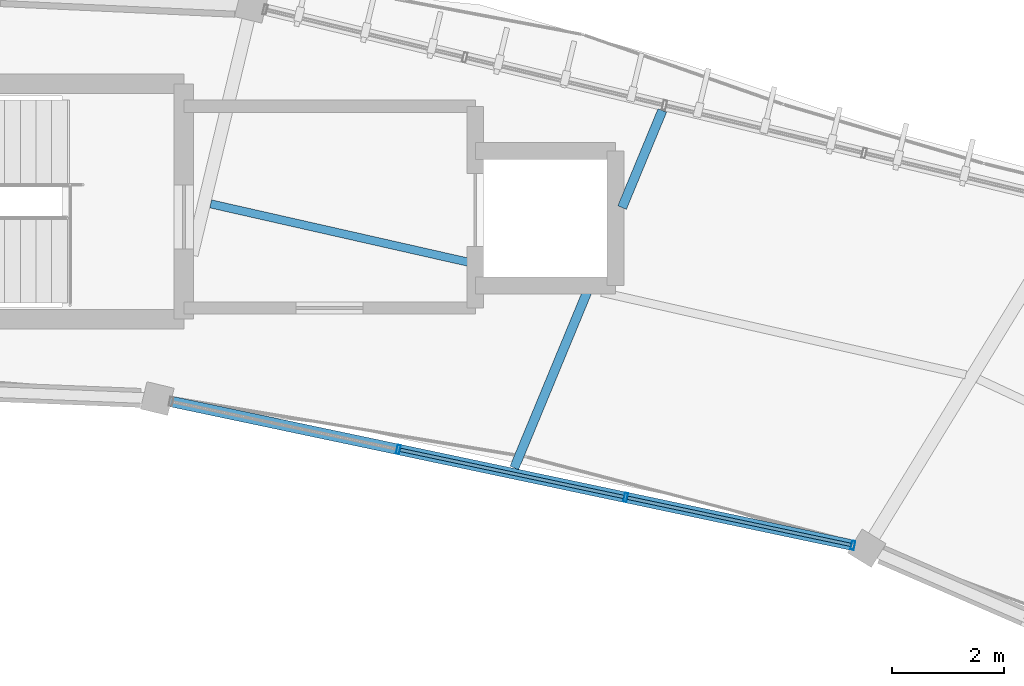
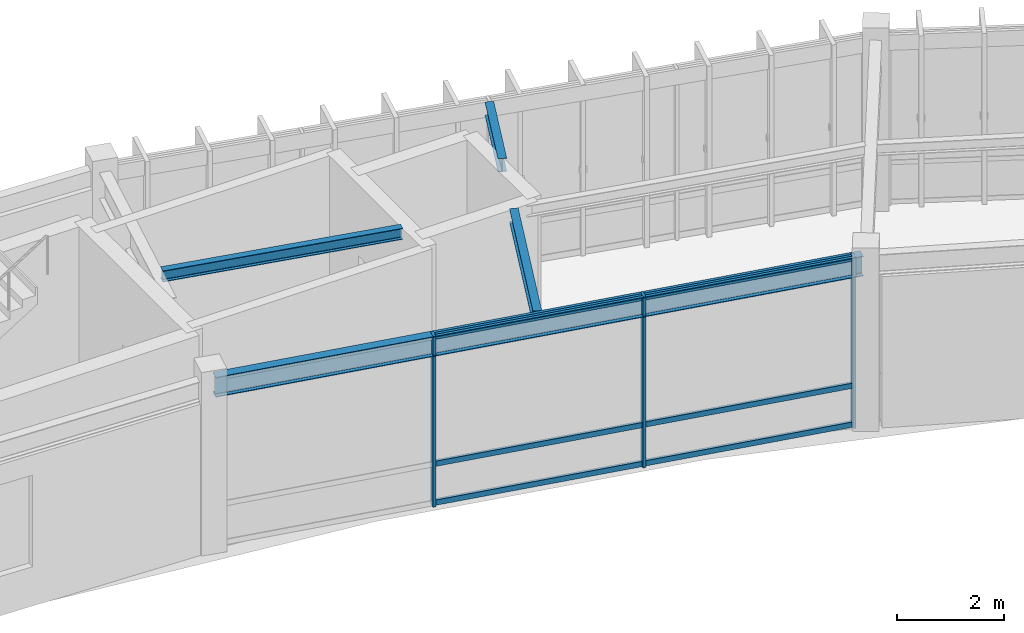
# One storey, part 57 of 78: 9 members, 4 beams, 1 element without a shape of its own.
"""IFC4 building model written with IfcOpenShell, lengths in metres."""

import ifcopenshell
import ifcopenshell.guid

model = None  # the IFC model being written
_history = None  # IfcOwnerHistory: only IFC2X3 demands one
_inside = {}  # id of a spatial element -> (the spatial element, [elements in it])
_under = {}  # id of a project, library or spatial element -> (it, [spatial elements below it])
_declared = {}  # id of a project -> (the project, [libraries it declares])
_typed = {}  # id of a type object -> (the type object, [elements of that type])
_made_of = {}  # id of a material, layer set ... -> (it, [elements and type objects made of it])


def new_model(schema):
    """Start an empty IFC model of exactly this schema.

    Asked for "IFC4X3", IfcOpenShell would pick the latest addendum, in which some entities
    have other attributes; the version numbers below select the first issue.
    IFC2X3 requires an IfcOwnerHistory on every rooted entity: one is made here for all.
    """
    global model, _history
    if schema == "IFC4X3":
        model = ifcopenshell.file(schema_version=(4, 3, 0, 0))
    else:
        model = ifcopenshell.file(schema=schema)
    _inside.clear()
    _under.clear()
    _declared.clear()
    _typed.clear()
    _made_of.clear()
    _history = None
    if model.schema == "IFC2X3":
        org = make("IfcOrganization", Name="unknown")
        user = make(
            "IfcPersonAndOrganization",
            ThePerson=make("IfcPerson", FamilyName="unknown"),
            TheOrganization=org,
        )
        app = make(
            "IfcApplication",
            ApplicationDeveloper=org,
            Version="unknown",
            ApplicationFullName="unknown",
            ApplicationIdentifier="unknown",
        )
        _history = make(
            "IfcOwnerHistory",
            OwningUser=user,
            OwningApplication=app,
            ChangeAction="ADDED",
            CreationDate=0,
        )
    return model


def make(cls, **values):
    """One entity of the class cls with the attributes given. An attribute that is None is left unset."""
    return model.create_entity(
        cls, **{name: value for name, value in values.items() if value is not None}
    )


def rooted(cls, **values):
    """An entity with a GlobalId (a new one), such as an element, a storey or a relation."""
    return make(cls, GlobalId=ifcopenshell.guid.new(), OwnerHistory=_history, **values)


def si_unit(unit_type, name, prefix=None):
    """IfcSIUnit, for example si_unit("LENGTHUNIT", "METRE", prefix="MILLI")."""
    return make("IfcSIUnit", UnitType=unit_type, Prefix=prefix, Name=name)


def assignment(units):
    """IfcUnitAssignment: the units of a project."""
    return None if units is None else make("IfcUnitAssignment", Units=units)


def point(xyz):
    """IfcCartesianPoint."""
    return None if xyz is None else make("IfcCartesianPoint", Coordinates=xyz)


def direction(xyz):
    """IfcDirection."""
    return None if xyz is None else make("IfcDirection", DirectionRatios=xyz)


def frame(location, z_axis=None, x_axis=None):
    """IfcAxis2Placement3D, a coordinate frame: its origin and axes. An axis left out is left unset."""
    return make(
        "IfcAxis2Placement3D",
        Location=point(location),
        Axis=direction(z_axis),
        RefDirection=direction(x_axis),
    )


def frame_2d(location, x_axis=None):
    """IfcAxis2Placement2D, a coordinate frame in the plane: its origin and x axis."""
    return make(
        "IfcAxis2Placement2D", Location=point(location), RefDirection=direction(x_axis)
    )


def origin():
    """The frame at (0, 0, 0) with its axes left unset."""
    return frame((0.0, 0.0, 0.0))


def origin_2d():
    """The frame at (0, 0) in the plane with its x axis left unset."""
    return frame_2d((0.0, 0.0))


def place(relative_to, where):
    """IfcLocalPlacement: puts the frame where relative to a parent placement (None: the world)."""
    return make(
        "IfcLocalPlacement", PlacementRelTo=relative_to, RelativePlacement=where
    )


def context(
    kind, dimensions, precision=None, world=None, true_north=None, identifier=None
):
    """IfcGeometricRepresentationContext, for example the 3D "Model" context."""
    return make(
        "IfcGeometricRepresentationContext",
        ContextIdentifier=identifier,
        ContextType=kind,
        CoordinateSpaceDimension=dimensions,
        Precision=precision,
        WorldCoordinateSystem=world,
        TrueNorth=true_north,
    )


def subcontext(parent, identifier, kind, view, scale=None):
    """IfcGeometricRepresentationSubContext, for example "Body" below "Model"."""
    return make(
        "IfcGeometricRepresentationSubContext",
        ContextIdentifier=identifier,
        ContextType=kind,
        ParentContext=parent,
        TargetScale=scale,
        TargetView=view,
    )


def project(units=None, contexts=None):
    """IfcProject with its units and contexts."""
    return rooted(
        "IfcProject",
        Name="project",
        RepresentationContexts=contexts,
        UnitsInContext=assignment(units),
    )


def spatial(cls, under=None, at=None, **own):
    """A site, building, storey or space (cls), placed at a placement, below another one or the project."""
    s = rooted(cls, ObjectPlacement=at, **own)
    if under is not None:
        _under.setdefault(under.id(), (under, []))[1].append(s)
    return s


def profile(cls, at=None, kind="AREA", **sizes):
    """A parametric profile (cls). Its sizes go by their IFC names, for example OverallWidth=200.0."""
    return make(cls, ProfileType=kind, Position=at, **sizes)


def hollow_rectangle(**sizes):
    """IfcRectangleHollowProfileDef."""
    return profile("IfcRectangleHollowProfileDef", **sizes)


def i_section(**sizes):
    """IfcIShapeProfileDef."""
    return profile("IfcIShapeProfileDef", **sizes)


def extrude(swept, where, along, depth):
    """IfcExtrudedAreaSolid: the profile swept, set in the frame where, extruded along a direction by depth."""
    return make(
        "IfcExtrudedAreaSolid",
        SweptArea=swept,
        Position=where,
        ExtrudedDirection=direction(along),
        Depth=depth,
    )


def shape(context_of_items, identifier, shape_type, items):
    """IfcShapeRepresentation: the items that make up one representation, for example the "Body"."""
    return make(
        "IfcShapeRepresentation",
        ContextOfItems=context_of_items,
        RepresentationIdentifier=identifier,
        RepresentationType=shape_type,
        Items=items,
    )


def material(Name=None, Category=None):
    """IfcMaterial."""
    return make("IfcMaterial", Name=Name, Category=Category)


def material_profile(
    of_material, cross_section, Name=None, Category=None, Priority=None
):
    """IfcMaterialProfile: a cross section and its material."""
    return make(
        "IfcMaterialProfile",
        Name=Name,
        Material=of_material,
        Profile=cross_section,
        Priority=Priority,
        Category=Category,
    )


def profile_set(profiles, Name=None, composite=None):
    """IfcMaterialProfileSet."""
    return make(
        "IfcMaterialProfileSet",
        Name=Name,
        MaterialProfiles=profiles,
        CompositeProfile=composite,
    )


def made_of(thing, what):
    """Note that an element or type object is made of a material, layer set ...; save() writes the relation."""
    if what is not None:
        _made_of.setdefault(what.id(), (what, []))[1].append(thing)
    return thing


def type_object(cls, material=None, **own):
    """A type object (cls), such as IfcWallType, which elements share."""
    return made_of(rooted(cls, **own), material)


def element(
    cls,
    number,
    at=None,
    inside=None,
    cuts=None,
    type_object=None,
    material=None,
    context=None,
    identifier="Body",
    shape_type=None,
    held_by="IfcProductDefinitionShape",
    body=None,
    shapes=None,
    **own,
):
    """One element of the class cls, such as IfcWall. Its Tag is "e" and its number.

    at: its placement. inside: the storey or other place that contains it. cuts: it is an
    opening in that element (IfcRelVoidsElement). A single representation is given by context,
    identifier, shape_type and body (its items); several are given by shapes. held_by: the class
    of the entity that holds the representations. save() writes the other relations.
    """
    e = rooted(cls, Tag="e%d" % number, ObjectPlacement=at, **own)
    if body is not None:
        shapes = [shape(context, identifier, shape_type, body)]
    if shapes is not None:
        e.Representation = make(held_by, Representations=shapes)
    if inside is not None:
        _inside.setdefault(inside.id(), (inside, []))[1].append(e)
    if cuts is not None:
        rooted(
            "IfcRelVoidsElement", RelatingBuildingElement=cuts, RelatedOpeningElement=e
        )
    if type_object is not None:
        _typed.setdefault(type_object.id(), (type_object, []))[1].append(e)
    return made_of(e, material)


def aggregate(whole, parts):
    """IfcRelAggregates: a whole, such as a stair, and the parts it consists of."""
    return rooted("IfcRelAggregates", RelatingObject=whole, RelatedObjects=parts)


def save(model, path):
    """Write the relations noted so far, then the file.

    IfcRelAggregates (storeys below a building ...), IfcRelContainedInSpatialStructure (elements
    in a storey), IfcRelDefinesByType, IfcRelAssociatesMaterial and IfcRelDeclares: one each for
    every whole, place, type object, material and project.
    """
    for whole, parts in _under.values():
        aggregate(whole, parts)
    for where, things in _inside.values():
        rooted(
            "IfcRelContainedInSpatialStructure",
            RelatedElements=things,
            RelatingStructure=where,
        )
    for kind, things in _typed.values():
        rooted("IfcRelDefinesByType", RelatedObjects=things, RelatingType=kind)
    for what, things in _made_of.values():
        rooted("IfcRelAssociatesMaterial", RelatedObjects=things, RelatingMaterial=what)
    for by, libraries in _declared.values():
        rooted("IfcRelDeclares", RelatingContext=by, RelatedDefinitions=libraries)
    model.write(path)


model = new_model("IFC4")

# Units and contexts
model_context = context("Model", 3, precision=1e-05, world=origin(), true_north=direction((0.0, 1.0)))
body_context = subcontext(model_context, "Body", "Model", "MODEL_VIEW")
ifc_project = project(units=[si_unit("LENGTHUNIT", "METRE"), si_unit("AREAUNIT", "SQUARE_METRE"), si_unit("VOLUMEUNIT", "CUBIC_METRE"), si_unit("PLANEANGLEUNIT", "RADIAN"), si_unit("MASSUNIT", "GRAM", prefix="KILO"), si_unit("THERMODYNAMICTEMPERATUREUNIT", "KELVIN"), si_unit("POWERUNIT", "WATT")], contexts=[model_context])

# Site, building, storey
site_placement = place(None, origin())
site = spatial("IfcSite", under=ifc_project, at=site_placement, CompositionType="ELEMENT")
building_placement = place(site_placement, origin())
building = spatial("IfcBuilding", under=site, at=building_placement, Name="Darbajah Civic Hall", CompositionType="ELEMENT")
storey_placement = place(building_placement, frame((0.0, 0.0, 26.39990234375)))
storey = spatial("IfcBuildingStorey", under=building, at=storey_placement, Name="L06", CompositionType="ELEMENT", Elevation=26.39990234375)

# Curtain wall, members
ifc_material_1 = material(Name="Anodised Bronze Aluminium and Low-E Glazing", Category="aluminium")
curtain_wall_type = type_object("IfcCurtainWallType", Name="Unitised Curtain Wall CW-65 12400x3900", PredefinedType="USERDEFINED", material=ifc_material_1)
curtain_wall_placement = place(storey_placement, origin())
curtain_wall = element("IfcCurtainWall", 1, at=curtain_wall_placement, inside=storey, type_object=curtain_wall_type, Name="L06 unitised curtain wall CW-V1I-L06-03", ObjectType="UNITISED CURTAIN WALL", PredefinedType="USERDEFINED")
ifc_material_2 = material(Name="Anodised Bronze Aluminium", Category="aluminium")
ifc_material_profile_1 = material_profile(ifc_material_2, hollow_rectangle(XDim=0.06005859375, YDim=0.159912109375, WallThickness=0.00341796875, at=origin_2d()), Name="ALU MULLION 60x160")
ifc_profile_set_1 = profile_set([ifc_material_profile_1], Name="Anodised Bronze Aluminium")
member_type_1 = type_object("IfcMemberType", Name="ALU MULLION 60x160", PredefinedType="MULLION", material=ifc_profile_set_1)
member_1_placement = place(storey_placement, frame((111.73876953125, 108.865966796875, 0.0), z_axis=(0.0, 0.0, 1.0), x_axis=(-0.978472980779, 0.206374964291, 0.0)))
member_1 = element("IfcMember", 2, at=member_1_placement, type_object=member_type_1, Name="CW-V1I-L06-03 mullion 1", PredefinedType="MULLION", context=body_context, shape_type="SweptSolid", body=[
    extrude(hollow_rectangle(XDim=0.06005859375, YDim=0.159912109375, WallThickness=0.00341796875, at=origin_2d()), origin(), (0.0, 0.0, 1.0), 3.920166015625),
])
member_2_placement = place(storey_placement, frame((107.68310546875, 109.72119140625, 0.0), z_axis=(0.0, 0.0, 1.0), x_axis=(-0.978472980779, 0.206374964291, 0.0)))
member_2 = element("IfcMember", 3, at=member_2_placement, type_object=member_type_1, Name="CW-V1I-L06-03 mullion 2", PredefinedType="MULLION", context=body_context, shape_type="SweptSolid", body=[
    extrude(hollow_rectangle(XDim=0.06005859375, YDim=0.159912109375, WallThickness=0.00341796875, at=origin_2d()), origin(), (0.0, 0.0, 1.0), 3.920166015625),
])
member_3_placement = place(storey_placement, frame((103.627197265625, 110.576416015625, 0.0), z_axis=(0.0, 0.0, 1.0), x_axis=(-0.978472980779, 0.206374964291, 0.0)))
member_3 = element("IfcMember", 4, at=member_3_placement, type_object=member_type_1, Name="CW-V1I-L06-03 mullion 3", PredefinedType="MULLION", context=body_context, shape_type="SweptSolid", body=[
    extrude(hollow_rectangle(XDim=0.06005859375, YDim=0.159912109375, WallThickness=0.00341796875, at=origin_2d()), origin(), (0.0, 0.0, 1.0), 3.920166015625),
])
ifc_material_profile_2 = material_profile(ifc_material_2, hollow_rectangle(XDim=0.06005859375, YDim=0.1201171875, WallThickness=0.003173828125, at=origin_2d()), Name="ALU TRANSOM 60x120")
ifc_profile_set_2 = profile_set([ifc_material_profile_2], Name="Anodised Bronze Aluminium")
member_type_2 = type_object("IfcMemberType", Name="ALU TRANSOM 60x120", PredefinedType="USERDEFINED", material=ifc_profile_set_2)
member_4_placement = place(storey_placement, frame((111.70458984375, 108.873046875, 0.06005859375), z_axis=(-0.978468980764, 0.206393928406, 0.0), x_axis=(-0.206393928406, -0.978468980764, 0.0)))
member_4 = element("IfcMember", 5, at=member_4_placement, type_object=member_type_2, Name="CW-V1I-L06-03 transom 1.1", ObjectType="TRANSOM", PredefinedType="USERDEFINED", context=body_context, shape_type="SweptSolid", body=[
    extrude(hollow_rectangle(XDim=0.06005859375, YDim=0.1201171875, WallThickness=0.003173828125, at=origin_2d()), origin(), (0.0, 0.0, 1.0), 4.074951171875),
])
member_5_placement = place(storey_placement, frame((111.70458984375, 108.873046875, 0.9501953125), z_axis=(-0.978468980764, 0.206393928406, 0.0), x_axis=(-0.206393928406, -0.978468980764, 0.0)))
member_5 = element("IfcMember", 6, at=member_5_placement, type_object=member_type_2, Name="CW-V1I-L06-03 transom 1.2", ObjectType="TRANSOM", PredefinedType="USERDEFINED", context=body_context, shape_type="SweptSolid", body=[
    extrude(hollow_rectangle(XDim=0.06005859375, YDim=0.1201171875, WallThickness=0.003173828125, at=origin_2d()), origin(), (0.0, 0.0, 1.0), 4.074951171875),
])
member_6_placement = place(storey_placement, frame((111.70458984375, 108.873046875, 3.860107421875), z_axis=(-0.978468980764, 0.206393928406, 0.0), x_axis=(-0.206393928406, -0.978468980764, 0.0)))
member_6 = element("IfcMember", 7, at=member_6_placement, type_object=member_type_2, Name="CW-V1I-L06-03 transom 1.3", ObjectType="TRANSOM", PredefinedType="USERDEFINED", context=body_context, shape_type="SweptSolid", body=[
    extrude(hollow_rectangle(XDim=0.06005859375, YDim=0.1201171875, WallThickness=0.003173828125, at=origin_2d()), origin(), (0.0, 0.0, 1.0), 4.074951171875),
])
member_7_placement = place(storey_placement, frame((107.648681640625, 109.728515625, 0.06005859375), z_axis=(-0.978478527333, 0.206348665001, 0.0), x_axis=(-0.206348665001, -0.978478527333, 0.0)))
member_7 = element("IfcMember", 8, at=member_7_placement, type_object=member_type_2, Name="CW-V1I-L06-03 transom 2.1", ObjectType="TRANSOM", PredefinedType="USERDEFINED", context=body_context, shape_type="SweptSolid", body=[
    extrude(hollow_rectangle(XDim=0.06005859375, YDim=0.1201171875, WallThickness=0.003173828125, at=origin_2d()), origin(), (0.0, 0.0, 1.0), 4.07470703125),
])
member_8_placement = place(storey_placement, frame((107.648681640625, 109.728515625, 0.9501953125), z_axis=(-0.978478527333, 0.206348665001, 0.0), x_axis=(-0.206348665001, -0.978478527333, 0.0)))
member_8 = element("IfcMember", 9, at=member_8_placement, type_object=member_type_2, Name="CW-V1I-L06-03 transom 2.2", ObjectType="TRANSOM", PredefinedType="USERDEFINED", context=body_context, shape_type="SweptSolid", body=[
    extrude(hollow_rectangle(XDim=0.06005859375, YDim=0.1201171875, WallThickness=0.003173828125, at=origin_2d()), origin(), (0.0, 0.0, 1.0), 4.07470703125),
])
member_9_placement = place(storey_placement, frame((107.648681640625, 109.728515625, 3.860107421875), z_axis=(-0.978478527333, 0.206348665001, 0.0), x_axis=(-0.206348665001, -0.978478527333, 0.0)))
member_9 = element("IfcMember", 10, at=member_9_placement, type_object=member_type_2, Name="CW-V1I-L06-03 transom 2.3", ObjectType="TRANSOM", PredefinedType="USERDEFINED", context=body_context, shape_type="SweptSolid", body=[
    extrude(hollow_rectangle(XDim=0.06005859375, YDim=0.1201171875, WallThickness=0.003173828125, at=origin_2d()), origin(), (0.0, 0.0, 1.0), 4.07470703125),
])
aggregate(curtain_wall, [member_1, member_2, member_3, member_4, member_5, member_6, member_7, member_8, member_9])

# Beams
ifc_material_3 = material(Name="Steel S355JR", Category="steel")
ifc_material_profile_3 = material_profile(ifc_material_3, i_section(OverallWidth=0.146484375, OverallDepth=0.256103515625, WebThickness=0.00634765625, FlangeThickness=0.010986328125, FilletRadius=0.007568359375, at=origin_2d()), Name="UB 254x146x37")
ifc_profile_set_3 = profile_set([ifc_material_profile_3], Name="Steel S355JR")
beam_type_1 = type_object("IfcBeamType", Name="UB 254x146x37", PredefinedType="JOIST", material=ifc_profile_set_3)
beam_1_placement = place(storey_placement, frame((104.8798828125, 113.917236328125, 3.7919921875), z_axis=(-0.97532969835, 0.220753209527, 0.0), x_axis=(-0.220753209527, -0.97532969835, 0.0)))
element("IfcBeam", 11, at=beam_1_placement, inside=storey, type_object=beam_type_1, Name="L06 beam SJ-254", PredefinedType="JOIST", context=body_context, shape_type="SweptSolid", body=[
    extrude(i_section(OverallWidth=0.146484375, OverallDepth=0.256103515625, WebThickness=0.00634765625, FlangeThickness=0.010986328125, FilletRadius=0.007568359375, at=origin_2d()), origin(), (0.0, 0.0, 1.0), 4.718017578125),
])
ifc_material_profile_4 = material_profile(ifc_material_3, i_section(OverallWidth=0.165771484375, OverallDepth=0.306640625, WebThickness=0.006591796875, FlangeThickness=0.01171875, FilletRadius=0.0087890625, at=origin_2d()), Name="UB 305x165x46")
ifc_profile_set_4 = profile_set([ifc_material_profile_4], Name="Steel S355JR")
beam_type_2 = type_object("IfcBeamType", Name="UB 305x165x46", PredefinedType="JOIST", material=ifc_profile_set_4)
beam_2_placement = place(storey_placement, frame((105.69580078125, 110.246826171875, 3.766845703125), z_axis=(0.382646399195, 0.923894871283, 0.0), x_axis=(-0.923894871283, 0.382646399195, 0.0)))
element("IfcBeam", 12, at=beam_2_placement, inside=storey, type_object=beam_type_2, Name="L06 beam SJ-305", PredefinedType="JOIST", context=body_context, shape_type="SweptSolid", body=[
    extrude(i_section(OverallWidth=0.165771484375, OverallDepth=0.306640625, WebThickness=0.006591796875, FlangeThickness=0.01171875, FilletRadius=0.0087890625, at=origin_2d()), origin(), (0.0, 0.0, 1.0), 3.39111328125),
])
beam_3_placement = place(storey_placement, frame((107.6201171875, 114.892578125, 3.766845703125), z_axis=(0.382589483091, 0.923918441978, 0.0), x_axis=(-0.923918441978, 0.382589483091, 0.0)))
element("IfcBeam", 13, at=beam_3_placement, inside=storey, type_object=beam_type_2, Name="L06 beam SJ-305", PredefinedType="JOIST", context=body_context, shape_type="SweptSolid", body=[
    extrude(i_section(OverallWidth=0.165771484375, OverallDepth=0.306640625, WebThickness=0.006591796875, FlangeThickness=0.01171875, FilletRadius=0.0087890625, at=origin_2d()), origin(), (0.0, 0.0, 1.0), 1.874755859375),
])
ifc_material_profile_5 = material_profile(ifc_material_3, i_section(OverallWidth=0.1904296875, OverallDepth=0.45703125, WebThickness=0.009033203125, FlangeThickness=0.014404296875, FilletRadius=0.01025390625, at=origin_2d()), Name="UB 457x191x74")
ifc_profile_set_5 = profile_set([ifc_material_profile_5], Name="Steel S355JR")
beam_type_3 = type_object("IfcBeamType", Name="UB 457x191x74", PredefinedType="BEAM", material=ifc_profile_set_5)
beam_4_placement = place(storey_placement, frame((111.906982421875, 108.830322265625, 3.691650390625), z_axis=(-0.978476951565, 0.206356136949, 0.0), x_axis=(-0.206356136949, -0.978476951565, 0.0)))
element("IfcBeam", 14, at=beam_4_placement, inside=storey, type_object=beam_type_3, Name="L06 beam SB-457", PredefinedType="BEAM", context=body_context, shape_type="SweptSolid", body=[
    extrude(i_section(OverallWidth=0.1904296875, OverallDepth=0.45703125, WebThickness=0.009033203125, FlangeThickness=0.014404296875, FilletRadius=0.01025390625, at=origin_2d()), origin(), (0.0, 0.0, 1.0), 12.77880859375),
])

save(model, "model.ifc")
